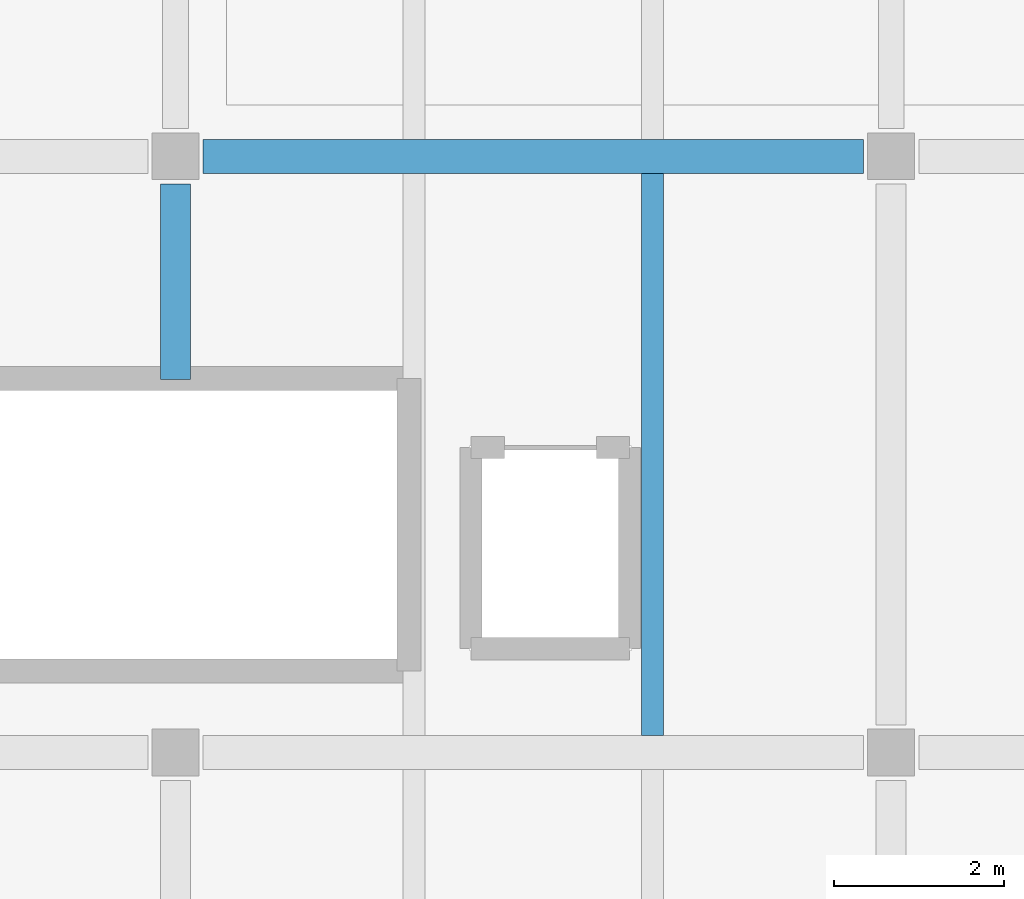
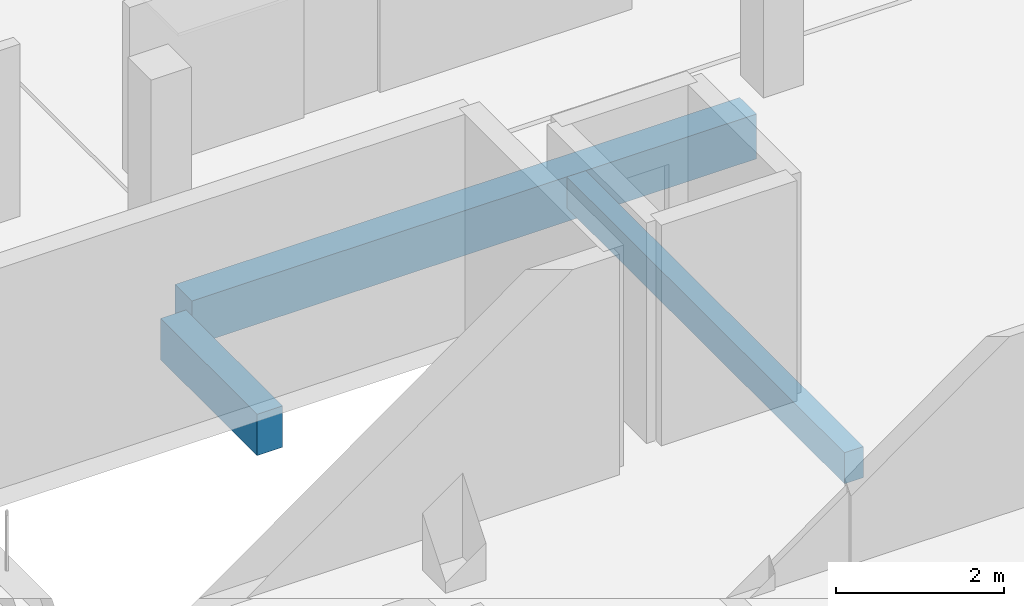
# One storey, part 5 of 24: 3 beams.
"""IFC4 building model written with IfcOpenShell, lengths in metres."""

from ifc_helpers import new_model, si_unit, direction, frame, origin, origin_2d, place, context, subcontext, project, spatial, rectangle, extrude, material, material_profile, profile_set, type_object, element, save


model = new_model("IFC4")

# Units and contexts
model_context = context("Model", 3, precision=1e-05, world=origin(), true_north=direction((0.0, 1.0)))
body_context = subcontext(model_context, "Body", "Model", "MODEL_VIEW")
ifc_project = project(units=[si_unit("LENGTHUNIT", "METRE"), si_unit("AREAUNIT", "SQUARE_METRE"), si_unit("VOLUMEUNIT", "CUBIC_METRE"), si_unit("PLANEANGLEUNIT", "RADIAN"), si_unit("MASSUNIT", "GRAM", prefix="KILO"), si_unit("THERMODYNAMICTEMPERATUREUNIT", "KELVIN"), si_unit("POWERUNIT", "WATT")], contexts=[model_context])

# Site, building, storey
site_placement = place(None, origin())
site = spatial("IfcSite", under=ifc_project, at=site_placement, CompositionType="ELEMENT")
building_placement = place(site_placement, origin())
building = spatial("IfcBuilding", under=site, at=building_placement, Name="Mavoryth Pier Ferry Terminal", CompositionType="ELEMENT")
storey_placement = place(building_placement, frame((0.0, 0.0, 16.320068359375)))
storey = spatial("IfcBuildingStorey", under=building, at=storey_placement, Name="L04", CompositionType="ELEMENT", Elevation=16.320068359375)

# Beams
ifc_material = material(Name="Concrete C35/45", Category="concrete")
ifc_material_profile_1 = material_profile(ifc_material, rectangle(XDim=0.35009765625, YDim=0.60009765625, at=origin_2d()), Name="RC 350x600", Category="concrete")
ifc_profile_set_1 = profile_set([ifc_material_profile_1], Name="Concrete C35/45 - RC 350x600")
beam_type_1 = type_object("IfcBeamType", Name="Girder-RC-350x600", PredefinedType="BEAM", material=ifc_profile_set_1)
beam_1_placement = place(storey_placement, frame((50.39990234375, 11.3798828125, -0.56005859375), z_axis=(0.0, 1.0, 0.0), x_axis=(-1.0, 0.0, 0.0)))
element("IfcBeam", 1, at=beam_1_placement, inside=storey, type_object=beam_type_1, Name="Beam B04-BG08-1481", PredefinedType="BEAM", context=body_context, shape_type="SweptSolid", body=[
    extrude(rectangle(XDim=0.35009765625, YDim=0.60009765625, at=origin_2d()), origin(), (0.0, 0.0, 1.0), 2.295166015625),
])
ifc_material_profile_2 = material_profile(ifc_material, rectangle(XDim=0.39990234375, YDim=0.64990234375, at=origin_2d()), Name="RC 400x650", Category="concrete")
ifc_profile_set_2 = profile_set([ifc_material_profile_2], Name="Concrete C35/45 - RC 400x650")
beam_type_2 = type_object("IfcBeamType", Name="Girder-RC-400x650", PredefinedType="BEAM", material=ifc_profile_set_2)
beam_2_placement = place(storey_placement, frame((50.72509765625, 14.0, -0.5849609375), z_axis=(1.0, 0.0, 0.0), x_axis=(0.0, 1.0, 0.0)))
element("IfcBeam", 2, at=beam_2_placement, inside=storey, type_object=beam_type_2, Name="Beam B04-BG05-1468", PredefinedType="BEAM", context=body_context, shape_type="SweptSolid", body=[
    extrude(rectangle(XDim=0.39990234375, YDim=0.64990234375, at=origin_2d()), origin(), (0.0, 0.0, 1.0), 7.75),
])
ifc_material_profile_3 = material_profile(ifc_material, rectangle(XDim=0.260009765625, YDim=0.449951171875, at=origin_2d()), Name="RC 260x450", Category="concrete")
ifc_profile_set_3 = profile_set([ifc_material_profile_3], Name="Concrete C35/45 - RC 260x450")
beam_type_3 = type_object("IfcBeamType", Name="Joist-RC-260x450", PredefinedType="JOIST", material=ifc_profile_set_3)
beam_3_placement = place(storey_placement, frame((56.0, 7.199951171875, -0.485107421875), z_axis=(0.0, 1.0, 0.0), x_axis=(-1.0, 0.0, 0.0)))
element("IfcBeam", 3, at=beam_3_placement, inside=storey, type_object=beam_type_3, Name="Beam B04-BJ03-1499", PredefinedType="JOIST", context=body_context, shape_type="SweptSolid", body=[
    extrude(rectangle(XDim=0.260009765625, YDim=0.449951171875, at=origin_2d()), origin(), (0.0, 0.0, 1.0), 6.60009765625),
])

save(model, "model.ifc")
